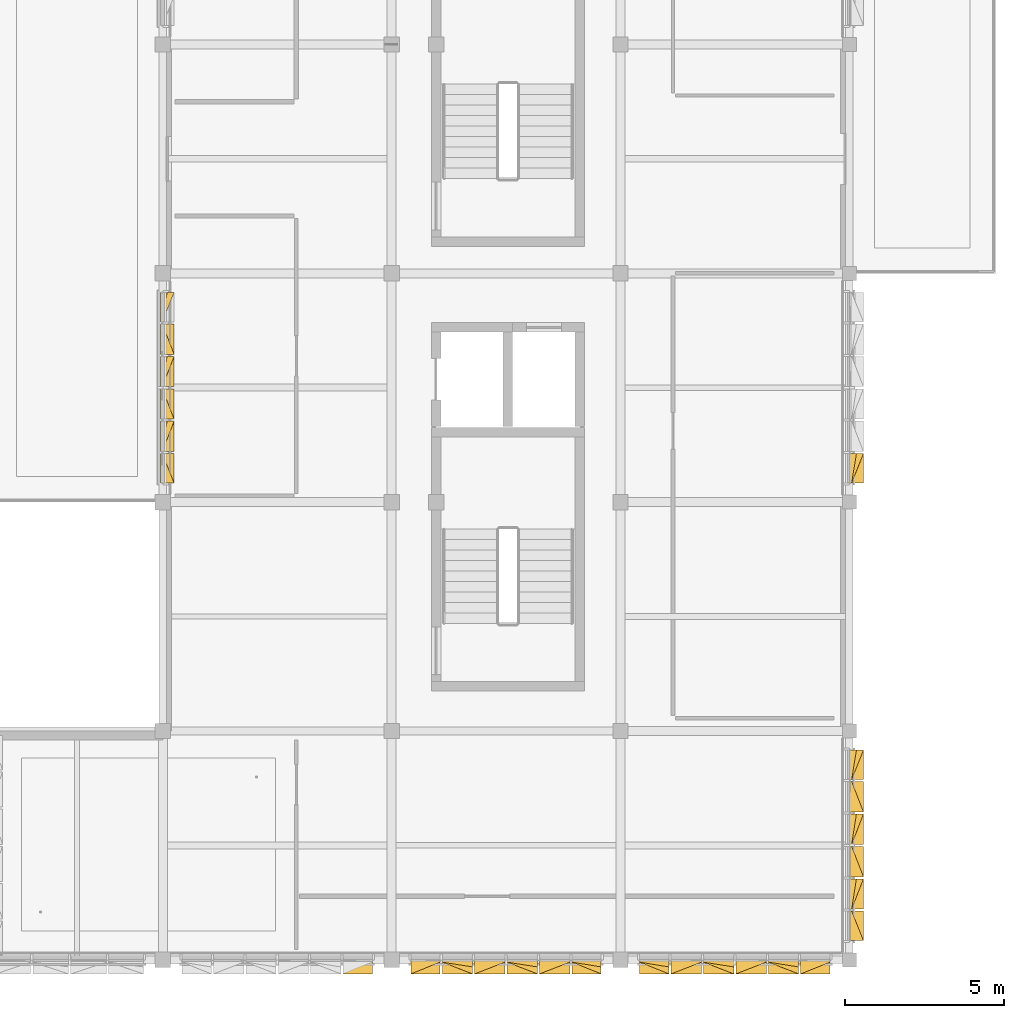
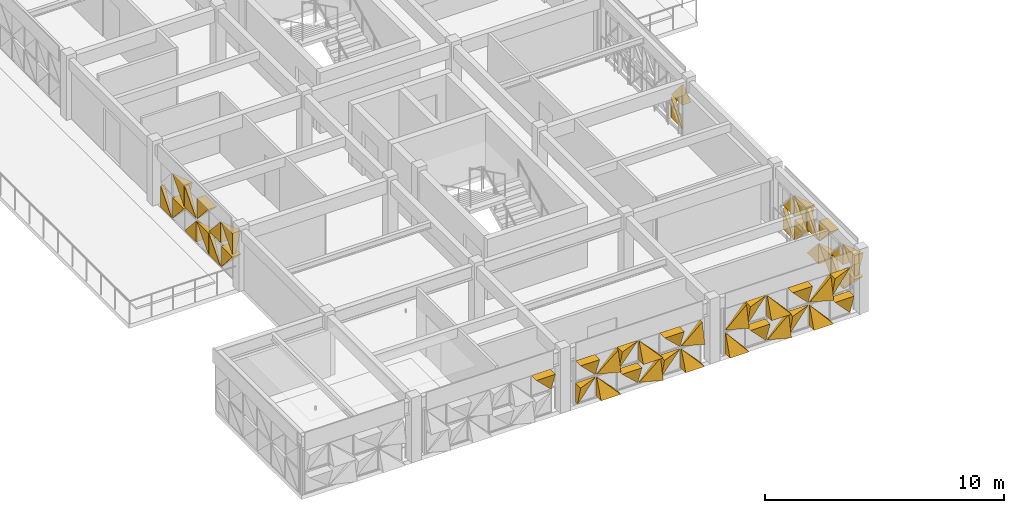
# One storey, part 31 of 35: 50 coverings.
"""IFC4 building model written with IfcOpenShell, lengths in metres."""

from ifc_helpers import new_model, si_unit, direction, frame, origin, place, context, subcontext, project, spatial, polygons, material, layer, layer_set, type_object, element, save


model = new_model("IFC4")

# Units and contexts
model_context = context("Model", 3, precision=1e-05, world=origin(), true_north=direction((0.0, 1.0)))
body_context = subcontext(model_context, "Body", "Model", "MODEL_VIEW")
ifc_project = project(units=[si_unit("LENGTHUNIT", "METRE"), si_unit("AREAUNIT", "SQUARE_METRE"), si_unit("VOLUMEUNIT", "CUBIC_METRE"), si_unit("PLANEANGLEUNIT", "RADIAN"), si_unit("MASSUNIT", "GRAM", prefix="KILO")], contexts=[model_context])

# Site, building, storey
site_placement = place(None, origin())
site = spatial("IfcSite", under=ifc_project, at=site_placement, CompositionType="ELEMENT")
building_placement = place(site_placement, origin())
building = spatial("IfcBuilding", under=site, at=building_placement, Name="Alvorim Cloister Faculty of Sciences", CompositionType="ELEMENT")
storey_placement = place(building_placement, frame((0.0, 0.0, 22.949951171875)))
storey = spatial("IfcBuildingStorey", under=building, at=storey_placement, Name="L06", CompositionType="ELEMENT", Elevation=22.949951171875)

# Coverings
ifc_material = material(Name="Perforated Bronze Alloy Sheet", Category="metal")
ifc_layer = layer(ifc_material, 0.0380859375)
ifc_layer_set = layer_set([ifc_layer], Name="Perforated Bronze Alloy Sheet")
covering_type = type_object("IfcCoveringType", Name="COV-TRI-BRZ", PredefinedType="CLADDING", material=ifc_layer_set)
covering_1_placement = place(storey_placement, frame((7.155029296875, 22.205078125, 0.14013671875), z_axis=(0.0, 0.0, 1.0), x_axis=(0.0, 1.0, 0.0)))
element("IfcCovering", 1, at=covering_1_placement, inside=storey, type_object=covering_type, Name="Diagonal Solid Metal Triangle TRI-TR", PredefinedType="CLADDING", context=body_context, shape_type="Tessellation", body=[
    polygons([(0.922607421875, 0.0260009765625, 0.002), (0.922607421875, 0.0260009765625, 1.06494140625), (0.002, 0.0260009765625, 1.06494140625), (0.922607421875, -0.03, 0.002), (0.922607421875, -0.4, 1.06494140625), (0.002, -0.4, 1.06494140625)], [[[1, 3, 2]], [[4, 5, 6]], [[1, 2, 5, 4]], [[2, 3, 6, 5]], [[3, 1, 4, 6]]], closed=True),
])
covering_2_placement = place(storey_placement, frame((7.155029296875, 22.205078125, 1.344970703125), z_axis=(0.0, 0.0, 1.0), x_axis=(0.0, 1.0, 0.0)))
element("IfcCovering", 2, at=covering_2_placement, inside=storey, type_object=covering_type, Name="Diagonal Solid Metal Triangle TRI-TL", PredefinedType="CLADDING", context=body_context, shape_type="Tessellation", body=[
    polygons([(0.920607421875, 0.0260009765625, 1.065185546875), (0.0, 0.0260009765625, 1.065185546875), (0.0, 0.0260009765625, 0.002), (0.920607421875, -0.03, 1.065185546875), (0.0, -0.4, 1.065185546875), (0.0, -0.13999999999999999, 0.002)], [[[1, 3, 2]], [[4, 5, 6]], [[1, 2, 5, 4]], [[2, 3, 6, 5]], [[3, 1, 4, 6]]], closed=True),
])
covering_3_placement = place(storey_placement, frame((7.155029296875, 23.1923828125, 0.14013671875), z_axis=(0.0, 0.0, 1.0), x_axis=(0.0, 1.0, 0.0)))
element("IfcCovering", 3, at=covering_3_placement, inside=storey, type_object=covering_type, Name="Diagonal Solid Metal Triangle TRI-BR", PredefinedType="CLADDING", context=body_context, shape_type="Tessellation", body=[
    polygons([(0.002, 0.0260009765625, 0.0), (0.955078125, 0.0260009765625, 0.0), (0.955078125, 0.0260009765625, 1.06294140625), (0.002, -0.03, 0.0), (0.955078125, -0.4, 0.0), (0.955078125, -0.18000000000000002, 1.06294140625)], [[[1, 3, 2]], [[4, 5, 6]], [[1, 2, 5, 4]], [[2, 3, 6, 5]], [[3, 1, 4, 6]]], closed=True),
])
covering_4_placement = place(storey_placement, frame((7.155029296875, 23.1923828125, 1.344970703125), z_axis=(0.0, 0.0, 1.0), x_axis=(0.0, 1.0, 0.0)))
element("IfcCovering", 4, at=covering_4_placement, inside=storey, type_object=covering_type, Name="Diagonal Solid Metal Triangle TRI-BL", PredefinedType="CLADDING", context=body_context, shape_type="Tessellation", body=[
    polygons([(0.0, 0.0260009765625, 0.0), (0.953078125, 0.0260009765625, 0.0), (0.0, 0.0260009765625, 1.063185546875), (0.0, -0.4, 0.0), (0.953078125, -0.4, 0.0), (0.0, -0.03, 1.063185546875)], [[[1, 3, 2]], [[4, 5, 6]], [[1, 2, 5, 4]], [[2, 3, 6, 5]], [[3, 1, 4, 6]]], closed=True),
])
covering_5_placement = place(storey_placement, frame((7.155029296875, 24.21240234375, 0.14013671875), z_axis=(0.0, 0.0, 1.0), x_axis=(0.0, 1.0, 0.0)))
element("IfcCovering", 5, at=covering_5_placement, inside=storey, type_object=covering_type, Name="Diagonal Solid Metal Triangle TRI-TL", PredefinedType="CLADDING", context=body_context, shape_type="Tessellation", body=[
    polygons([(0.953078125, 0.0260009765625, 1.06494140625), (0.0, 0.0260009765625, 1.06494140625), (0.0, 0.0260009765625, 0.002), (0.953078125, -0.03, 1.06494140625), (0.0, -0.4, 1.06494140625), (0.0, -0.13999999999999999, 0.002)], [[[1, 3, 2]], [[4, 5, 6]], [[1, 2, 5, 4]], [[2, 3, 6, 5]], [[3, 1, 4, 6]]], closed=True),
])
covering_6_placement = place(storey_placement, frame((7.155029296875, 24.21240234375, 1.344970703125), z_axis=(0.0, 0.0, 1.0), x_axis=(0.0, 1.0, 0.0)))
element("IfcCovering", 6, at=covering_6_placement, inside=storey, type_object=covering_type, Name="Diagonal Solid Metal Triangle TRI-TR", PredefinedType="CLADDING", context=body_context, shape_type="Tessellation", body=[
    polygons([(0.955078125, 0.0260009765625, 0.002), (0.955078125, 0.0260009765625, 1.065185546875), (0.002, 0.0260009765625, 1.065185546875), (0.955078125, -0.03, 0.002), (0.955078125, -0.4, 1.065185546875), (0.002, -0.4, 1.065185546875)], [[[1, 3, 2]], [[4, 5, 6]], [[1, 2, 5, 4]], [[2, 3, 6, 5]], [[3, 1, 4, 6]]], closed=True),
])
covering_7_placement = place(storey_placement, frame((7.155029296875, 25.232421875, 0.14013671875), z_axis=(0.0, 0.0, 1.0), x_axis=(0.0, 1.0, 0.0)))
element("IfcCovering", 7, at=covering_7_placement, inside=storey, type_object=covering_type, Name="Diagonal Solid Metal Triangle TRI-BL", PredefinedType="CLADDING", context=body_context, shape_type="Tessellation", body=[
    polygons([(0.0, 0.0260009765625, 0.0), (0.953078125, 0.0260009765625, 0.0), (0.0, 0.0260009765625, 1.06294140625), (0.0, -0.4, 0.0), (0.953078125, -0.4, 0.0), (0.0, -0.03, 1.06294140625)], [[[1, 3, 2]], [[4, 5, 6]], [[1, 2, 5, 4]], [[2, 3, 6, 5]], [[3, 1, 4, 6]]], closed=True),
])
covering_8_placement = place(storey_placement, frame((7.155029296875, 25.232421875, 1.344970703125), z_axis=(0.0, 0.0, 1.0), x_axis=(0.0, 1.0, 0.0)))
element("IfcCovering", 8, at=covering_8_placement, inside=storey, type_object=covering_type, Name="Diagonal Solid Metal Triangle TRI-BR", PredefinedType="CLADDING", context=body_context, shape_type="Tessellation", body=[
    polygons([(0.002, 0.0260009765625, 0.0), (0.955078125, 0.0260009765625, 0.0), (0.955078125, 0.0260009765625, 1.063185546875), (0.002, -0.03, 0.0), (0.955078125, -0.4, 0.0), (0.955078125, -0.18000000000000002, 1.063185546875)], [[[1, 3, 2]], [[4, 5, 6]], [[1, 2, 5, 4]], [[2, 3, 6, 5]], [[3, 1, 4, 6]]], closed=True),
])
covering_9_placement = place(storey_placement, frame((7.155029296875, 26.25244140625, 0.14013671875), z_axis=(0.0, 0.0, 1.0), x_axis=(0.0, 1.0, 0.0)))
element("IfcCovering", 9, at=covering_9_placement, inside=storey, type_object=covering_type, Name="Diagonal Solid Metal Triangle TRI-TR", PredefinedType="CLADDING", context=body_context, shape_type="Tessellation", body=[
    polygons([(0.955078125, 0.0260009765625, 0.002), (0.955078125, 0.0260009765625, 1.06494140625), (0.002, 0.0260009765625, 1.06494140625), (0.955078125, -0.03, 0.002), (0.955078125, -0.4, 1.06494140625), (0.002, -0.4, 1.06494140625)], [[[1, 3, 2]], [[4, 5, 6]], [[1, 2, 5, 4]], [[2, 3, 6, 5]], [[3, 1, 4, 6]]], closed=True),
])
covering_10_placement = place(storey_placement, frame((7.155029296875, 26.25244140625, 1.344970703125), z_axis=(0.0, 0.0, 1.0), x_axis=(0.0, 1.0, 0.0)))
element("IfcCovering", 10, at=covering_10_placement, inside=storey, type_object=covering_type, Name="Diagonal Solid Metal Triangle TRI-TL", PredefinedType="CLADDING", context=body_context, shape_type="Tessellation", body=[
    polygons([(0.953078125, 0.0260009765625, 1.065185546875), (0.0, 0.0260009765625, 1.065185546875), (0.0, 0.0260009765625, 0.002), (0.953078125, -0.03, 1.065185546875), (0.0, -0.4, 1.065185546875), (0.0, -0.13999999999999999, 0.002)], [[[1, 3, 2]], [[4, 5, 6]], [[1, 2, 5, 4]], [[2, 3, 6, 5]], [[3, 1, 4, 6]]], closed=True),
])
for number, where, z_axis, x_axis, name in (
    (11, (7.155029296875, 27.2724609375, 0.14013671875), (0.0, 0.0, 1.0), (0.0, 1.0, 0.0), "Diagonal Solid Metal Triangle TRI-BR"),
    (12, (28.844970703125, 22.205078125, 0.14013671875), (0.0, 0.0, 1.0), (0.0, 1.0, 0.0), "Diagonal Solid Metal Triangle TRI-BR"),
):
    element("IfcCovering", number, at=place(storey_placement, frame(where, z_axis=z_axis, x_axis=x_axis)), inside=storey, type_object=covering_type, Name=name, PredefinedType="CLADDING", context=body_context, shape_type="Tessellation", body=[
        polygons([(0.002, 0.0260009765625, 0.0), (0.922607421875, 0.0260009765625, 0.0), (0.922607421875, 0.0260009765625, 1.06294140625), (0.002, -0.03, 0.0), (0.922607421875, -0.4, 0.0), (0.922607421875, -0.18000000000000002, 1.06294140625)], [[[1, 3, 2]], [[4, 5, 6]], [[1, 2, 5, 4]], [[2, 3, 6, 5]], [[3, 1, 4, 6]]], closed=True),
    ])
covering_11_placement = place(storey_placement, frame((28.844970703125, 22.205078125, 1.344970703125), z_axis=(0.0, 0.0, 1.0), x_axis=(0.0, 1.0, 0.0)))
element("IfcCovering", 13, at=covering_11_placement, inside=storey, type_object=covering_type, Name="Diagonal Solid Metal Triangle TRI-BL", PredefinedType="CLADDING", context=body_context, shape_type="Tessellation", body=[
    polygons([(0.0, 0.0260009765625, 0.0), (0.920607421875, 0.0260009765625, 0.0), (0.0, 0.0260009765625, 1.063185546875), (0.0, -0.4, 0.0), (0.920607421875, -0.4, 0.0), (0.0, -0.03, 1.063185546875)], [[[1, 3, 2]], [[4, 5, 6]], [[1, 2, 5, 4]], [[2, 3, 6, 5]], [[3, 1, 4, 6]]], closed=True),
])
covering_12_placement = place(storey_placement, frame((28.844970703125, 7.804931640625, 0.14013671875), z_axis=(0.0, 0.0, 1.0), x_axis=(0.0, 1.0, 0.0)))
element("IfcCovering", 14, at=covering_12_placement, inside=storey, type_object=covering_type, Name="Diagonal Solid Metal Triangle TRI-TR", PredefinedType="CLADDING", context=body_context, shape_type="Tessellation", body=[
    polygons([(0.922607421875, 0.0260009765625, 0.002), (0.922607421875, 0.0260009765625, 1.06494140625), (0.002, 0.0260009765625, 1.06494140625), (0.922607421875, -0.03, 0.002), (0.922607421875, -0.4, 1.06494140625), (0.002, -0.4, 1.06494140625)], [[[1, 3, 2]], [[4, 5, 6]], [[1, 2, 5, 4]], [[2, 3, 6, 5]], [[3, 1, 4, 6]]], closed=True),
])
covering_13_placement = place(storey_placement, frame((28.844970703125, 7.804931640625, 1.344970703125), z_axis=(0.0, 0.0, 1.0), x_axis=(0.0, 1.0, 0.0)))
element("IfcCovering", 15, at=covering_13_placement, inside=storey, type_object=covering_type, Name="Diagonal Solid Metal Triangle TRI-TL", PredefinedType="CLADDING", context=body_context, shape_type="Tessellation", body=[
    polygons([(0.920607421875, 0.0260009765625, 1.065185546875), (0.0, 0.0260009765625, 1.065185546875), (0.0, 0.0260009765625, 0.002), (0.920607421875, -0.03, 1.065185546875), (0.0, -0.4, 1.065185546875), (0.0, -0.13999999999999999, 0.002)], [[[1, 3, 2]], [[4, 5, 6]], [[1, 2, 5, 4]], [[2, 3, 6, 5]], [[3, 1, 4, 6]]], closed=True),
])
covering_14_placement = place(storey_placement, frame((28.844970703125, 8.79248046875, 0.14013671875), z_axis=(0.0, 0.0, 1.0), x_axis=(0.0, 1.0, 0.0)))
element("IfcCovering", 16, at=covering_14_placement, inside=storey, type_object=covering_type, Name="Diagonal Solid Metal Triangle TRI-BR", PredefinedType="CLADDING", context=body_context, shape_type="Tessellation", body=[
    polygons([(0.002, 0.0260009765625, 0.0), (0.955078125, 0.0260009765625, 0.0), (0.955078125, 0.0260009765625, 1.06294140625), (0.002, -0.03, 0.0), (0.955078125, -0.4, 0.0), (0.955078125, -0.18000000000000002, 1.06294140625)], [[[1, 3, 2]], [[4, 5, 6]], [[1, 2, 5, 4]], [[2, 3, 6, 5]], [[3, 1, 4, 6]]], closed=True),
])
covering_15_placement = place(storey_placement, frame((28.844970703125, 8.79248046875, 1.344970703125), z_axis=(0.0, 0.0, 1.0), x_axis=(0.0, 1.0, 0.0)))
element("IfcCovering", 17, at=covering_15_placement, inside=storey, type_object=covering_type, Name="Diagonal Solid Metal Triangle TRI-BL", PredefinedType="CLADDING", context=body_context, shape_type="Tessellation", body=[
    polygons([(0.0, 0.0260009765625, 0.0), (0.953078125, 0.0260009765625, 0.0), (0.0, 0.0260009765625, 1.063185546875), (0.0, -0.4, 0.0), (0.953078125, -0.4, 0.0), (0.0, -0.03, 1.063185546875)], [[[1, 3, 2]], [[4, 5, 6]], [[1, 2, 5, 4]], [[2, 3, 6, 5]], [[3, 1, 4, 6]]], closed=True),
])
covering_16_placement = place(storey_placement, frame((28.844970703125, 9.8125, 0.14013671875), z_axis=(0.0, 0.0, 1.0), x_axis=(0.0, 1.0, 0.0)))
element("IfcCovering", 18, at=covering_16_placement, inside=storey, type_object=covering_type, Name="Diagonal Solid Metal Triangle TRI-TL", PredefinedType="CLADDING", context=body_context, shape_type="Tessellation", body=[
    polygons([(0.953078125, 0.0260009765625, 1.06494140625), (0.0, 0.0260009765625, 1.06494140625), (0.0, 0.0260009765625, 0.002), (0.953078125, -0.03, 1.06494140625), (0.0, -0.4, 1.06494140625), (0.0, -0.13999999999999999, 0.002)], [[[1, 3, 2]], [[4, 5, 6]], [[1, 2, 5, 4]], [[2, 3, 6, 5]], [[3, 1, 4, 6]]], closed=True),
])
covering_17_placement = place(storey_placement, frame((28.844970703125, 9.8125, 1.344970703125), z_axis=(0.0, 0.0, 1.0), x_axis=(0.0, 1.0, 0.0)))
element("IfcCovering", 19, at=covering_17_placement, inside=storey, type_object=covering_type, Name="Diagonal Solid Metal Triangle TRI-TR", PredefinedType="CLADDING", context=body_context, shape_type="Tessellation", body=[
    polygons([(0.955078125, 0.0260009765625, 0.002), (0.955078125, 0.0260009765625, 1.065185546875), (0.002, 0.0260009765625, 1.065185546875), (0.955078125, -0.03, 0.002), (0.955078125, -0.4, 1.065185546875), (0.002, -0.4, 1.065185546875)], [[[1, 3, 2]], [[4, 5, 6]], [[1, 2, 5, 4]], [[2, 3, 6, 5]], [[3, 1, 4, 6]]], closed=True),
])
covering_18_placement = place(storey_placement, frame((28.844970703125, 10.83251953125, 0.14013671875), z_axis=(0.0, 0.0, 1.0), x_axis=(0.0, 1.0, 0.0)))
element("IfcCovering", 20, at=covering_18_placement, inside=storey, type_object=covering_type, Name="Diagonal Solid Metal Triangle TRI-BL", PredefinedType="CLADDING", context=body_context, shape_type="Tessellation", body=[
    polygons([(0.0, 0.0260009765625, 0.0), (0.953078125, 0.0260009765625, 0.0), (0.0, 0.0260009765625, 1.06294140625), (0.0, -0.4, 0.0), (0.953078125, -0.4, 0.0), (0.0, -0.03, 1.06294140625)], [[[1, 3, 2]], [[4, 5, 6]], [[1, 2, 5, 4]], [[2, 3, 6, 5]], [[3, 1, 4, 6]]], closed=True),
])
covering_19_placement = place(storey_placement, frame((28.844970703125, 10.83251953125, 1.344970703125), z_axis=(0.0, 0.0, 1.0), x_axis=(0.0, 1.0, 0.0)))
element("IfcCovering", 21, at=covering_19_placement, inside=storey, type_object=covering_type, Name="Diagonal Solid Metal Triangle TRI-BR", PredefinedType="CLADDING", context=body_context, shape_type="Tessellation", body=[
    polygons([(0.002, 0.0260009765625, 0.0), (0.955078125, 0.0260009765625, 0.0), (0.955078125, 0.0260009765625, 1.063185546875), (0.002, -0.03, 0.0), (0.955078125, -0.4, 0.0), (0.955078125, -0.18000000000000002, 1.063185546875)], [[[1, 3, 2]], [[4, 5, 6]], [[1, 2, 5, 4]], [[2, 3, 6, 5]], [[3, 1, 4, 6]]], closed=True),
])
covering_20_placement = place(storey_placement, frame((28.844970703125, 11.8525390625, 0.14013671875), z_axis=(0.0, 0.0, 1.0), x_axis=(0.0, 1.0, 0.0)))
element("IfcCovering", 22, at=covering_20_placement, inside=storey, type_object=covering_type, Name="Diagonal Solid Metal Triangle TRI-TR", PredefinedType="CLADDING", context=body_context, shape_type="Tessellation", body=[
    polygons([(0.955078125, 0.0260009765625, 0.002), (0.955078125, 0.0260009765625, 1.06494140625), (0.002, 0.0260009765625, 1.06494140625), (0.955078125, -0.03, 0.002), (0.955078125, -0.4, 1.06494140625), (0.002, -0.4, 1.06494140625)], [[[1, 3, 2]], [[4, 5, 6]], [[1, 2, 5, 4]], [[2, 3, 6, 5]], [[3, 1, 4, 6]]], closed=True),
])
covering_21_placement = place(storey_placement, frame((28.844970703125, 11.8525390625, 1.344970703125), z_axis=(0.0, 0.0, 1.0), x_axis=(0.0, 1.0, 0.0)))
element("IfcCovering", 23, at=covering_21_placement, inside=storey, type_object=covering_type, Name="Diagonal Solid Metal Triangle TRI-TL", PredefinedType="CLADDING", context=body_context, shape_type="Tessellation", body=[
    polygons([(0.953078125, 0.0260009765625, 1.065185546875), (0.0, 0.0260009765625, 1.065185546875), (0.0, 0.0260009765625, 0.002), (0.953078125, -0.03, 1.065185546875), (0.0, -0.4, 1.065185546875), (0.0, -0.13999999999999999, 0.002)], [[[1, 3, 2]], [[4, 5, 6]], [[1, 2, 5, 4]], [[2, 3, 6, 5]], [[3, 1, 4, 6]]], closed=True),
])
covering_22_placement = place(storey_placement, frame((28.844970703125, 12.87255859375, 0.14013671875), z_axis=(0.0, 0.0, 1.0), x_axis=(0.0, 1.0, 0.0)))
element("IfcCovering", 24, at=covering_22_placement, inside=storey, type_object=covering_type, Name="Diagonal Solid Metal Triangle TRI-BR", PredefinedType="CLADDING", context=body_context, shape_type="Tessellation", body=[
    polygons([(0.002, 0.0260009765625, 0.0), (0.922607421875, 0.0260009765625, 0.0), (0.922607421875, 0.0260009765625, 1.06294140625), (0.002, -0.03, 0.0), (0.922607421875, -0.4, 0.0), (0.922607421875, -0.18000000000000002, 1.06294140625)], [[[1, 3, 2]], [[4, 5, 6]], [[1, 2, 5, 4]], [[2, 3, 6, 5]], [[3, 1, 4, 6]]], closed=True),
])
covering_23_placement = place(storey_placement, frame((28.844970703125, 12.87255859375, 1.344970703125), z_axis=(0.0, 0.0, 1.0), x_axis=(0.0, 1.0, 0.0)))
element("IfcCovering", 25, at=covering_23_placement, inside=storey, type_object=covering_type, Name="Diagonal Solid Metal Triangle TRI-BL", PredefinedType="CLADDING", context=body_context, shape_type="Tessellation", body=[
    polygons([(0.0, 0.0260009765625, 0.0), (0.920607421875, 0.0260009765625, 0.0), (0.0, 0.0260009765625, 1.063185546875), (0.0, -0.4, 0.0), (0.920607421875, -0.4, 0.0), (0.0, -0.03, 1.063185546875)], [[[1, 3, 2]], [[4, 5, 6]], [[1, 2, 5, 4]], [[2, 3, 6, 5]], [[3, 1, 4, 6]]], closed=True),
])
covering_24_placement = place(storey_placement, frame((22.205078125, 7.155029296875, 0.14013671875), z_axis=(0.0, 0.0, 1.0), x_axis=(1.0, 0.0, 0.0)))
element("IfcCovering", 26, at=covering_24_placement, inside=storey, type_object=covering_type, Name="Diagonal Solid Metal Triangle TRI-BL", PredefinedType="CLADDING", context=body_context, shape_type="Tessellation", body=[
    polygons([(0.0, 0.0260009765625, 0.0), (0.920607421875, 0.0260009765625, 0.0), (0.0, 0.0260009765625, 1.06294140625), (0.0, -0.4, 0.0), (0.920607421875, -0.4, 0.0), (0.0, -0.03, 1.06294140625)], [[[1, 3, 2]], [[4, 5, 6]], [[1, 2, 5, 4]], [[2, 3, 6, 5]], [[3, 1, 4, 6]]], closed=True),
])
covering_25_placement = place(storey_placement, frame((22.205078125, 7.155029296875, 1.344970703125), z_axis=(0.0, 0.0, 1.0), x_axis=(1.0, 0.0, 0.0)))
element("IfcCovering", 27, at=covering_25_placement, inside=storey, type_object=covering_type, Name="Diagonal Solid Metal Triangle TRI-BR", PredefinedType="CLADDING", context=body_context, shape_type="Tessellation", body=[
    polygons([(0.002, 0.0260009765625, 0.0), (0.922607421875, 0.0260009765625, 0.0), (0.922607421875, 0.0260009765625, 1.063185546875), (0.002, -0.03, 0.0), (0.922607421875, -0.4, 0.0), (0.922607421875, -0.18000000000000002, 1.063185546875)], [[[1, 3, 2]], [[4, 5, 6]], [[1, 2, 5, 4]], [[2, 3, 6, 5]], [[3, 1, 4, 6]]], closed=True),
])
covering_26_placement = place(storey_placement, frame((23.1923828125, 7.155029296875, 0.14013671875), z_axis=(0.0, 0.0, 1.0), x_axis=(1.0, 0.0, 0.0)))
element("IfcCovering", 28, at=covering_26_placement, inside=storey, type_object=covering_type, Name="Diagonal Solid Metal Triangle TRI-TR", PredefinedType="CLADDING", context=body_context, shape_type="Tessellation", body=[
    polygons([(0.955078125, 0.0260009765625, 0.002), (0.955078125, 0.0260009765625, 1.06494140625), (0.002, 0.0260009765625, 1.06494140625), (0.955078125, -0.03, 0.002), (0.955078125, -0.4, 1.06494140625), (0.002, -0.4, 1.06494140625)], [[[1, 3, 2]], [[4, 5, 6]], [[1, 2, 5, 4]], [[2, 3, 6, 5]], [[3, 1, 4, 6]]], closed=True),
])
covering_27_placement = place(storey_placement, frame((23.1923828125, 7.155029296875, 1.344970703125), z_axis=(0.0, 0.0, 1.0), x_axis=(1.0, 0.0, 0.0)))
element("IfcCovering", 29, at=covering_27_placement, inside=storey, type_object=covering_type, Name="Diagonal Solid Metal Triangle TRI-TL", PredefinedType="CLADDING", context=body_context, shape_type="Tessellation", body=[
    polygons([(0.953078125, 0.0260009765625, 1.065185546875), (0.0, 0.0260009765625, 1.065185546875), (0.0, 0.0260009765625, 0.002), (0.953078125, -0.03, 1.065185546875), (0.0, -0.4, 1.065185546875), (0.0, -0.13999999999999999, 0.002)], [[[1, 3, 2]], [[4, 5, 6]], [[1, 2, 5, 4]], [[2, 3, 6, 5]], [[3, 1, 4, 6]]], closed=True),
])
covering_28_placement = place(storey_placement, frame((24.21240234375, 7.155029296875, 0.14013671875), z_axis=(0.0, 0.0, 1.0), x_axis=(1.0, 0.0, 0.0)))
element("IfcCovering", 30, at=covering_28_placement, inside=storey, type_object=covering_type, Name="Diagonal Solid Metal Triangle TRI-BR", PredefinedType="CLADDING", context=body_context, shape_type="Tessellation", body=[
    polygons([(0.002, 0.0260009765625, 0.0), (0.955078125, 0.0260009765625, 0.0), (0.955078125, 0.0260009765625, 1.06294140625), (0.002, -0.03, 0.0), (0.955078125, -0.4, 0.0), (0.955078125, -0.18000000000000002, 1.06294140625)], [[[1, 3, 2]], [[4, 5, 6]], [[1, 2, 5, 4]], [[2, 3, 6, 5]], [[3, 1, 4, 6]]], closed=True),
])
covering_29_placement = place(storey_placement, frame((24.21240234375, 7.155029296875, 1.344970703125), z_axis=(0.0, 0.0, 1.0), x_axis=(1.0, 0.0, 0.0)))
element("IfcCovering", 31, at=covering_29_placement, inside=storey, type_object=covering_type, Name="Diagonal Solid Metal Triangle TRI-BL", PredefinedType="CLADDING", context=body_context, shape_type="Tessellation", body=[
    polygons([(0.0, 0.0260009765625, 0.0), (0.953078125, 0.0260009765625, 0.0), (0.0, 0.0260009765625, 1.063185546875), (0.0, -0.4, 0.0), (0.953078125, -0.4, 0.0), (0.0, -0.03, 1.063185546875)], [[[1, 3, 2]], [[4, 5, 6]], [[1, 2, 5, 4]], [[2, 3, 6, 5]], [[3, 1, 4, 6]]], closed=True),
])
covering_30_placement = place(storey_placement, frame((25.232421875, 7.155029296875, 0.14013671875), z_axis=(0.0, 0.0, 1.0), x_axis=(1.0, 0.0, 0.0)))
element("IfcCovering", 32, at=covering_30_placement, inside=storey, type_object=covering_type, Name="Diagonal Solid Metal Triangle TRI-TL", PredefinedType="CLADDING", context=body_context, shape_type="Tessellation", body=[
    polygons([(0.953078125, 0.0260009765625, 1.06494140625), (0.0, 0.0260009765625, 1.06494140625), (0.0, 0.0260009765625, 0.002), (0.953078125, -0.03, 1.06494140625), (0.0, -0.4, 1.06494140625), (0.0, -0.13999999999999999, 0.002)], [[[1, 3, 2]], [[4, 5, 6]], [[1, 2, 5, 4]], [[2, 3, 6, 5]], [[3, 1, 4, 6]]], closed=True),
])
covering_31_placement = place(storey_placement, frame((25.232421875, 7.155029296875, 1.344970703125), z_axis=(0.0, 0.0, 1.0), x_axis=(1.0, 0.0, 0.0)))
element("IfcCovering", 33, at=covering_31_placement, inside=storey, type_object=covering_type, Name="Diagonal Solid Metal Triangle TRI-TR", PredefinedType="CLADDING", context=body_context, shape_type="Tessellation", body=[
    polygons([(0.955078125, 0.0260009765625, 0.002), (0.955078125, 0.0260009765625, 1.065185546875), (0.002, 0.0260009765625, 1.065185546875), (0.955078125, -0.03, 0.002), (0.955078125, -0.4, 1.065185546875), (0.002, -0.4, 1.065185546875)], [[[1, 3, 2]], [[4, 5, 6]], [[1, 2, 5, 4]], [[2, 3, 6, 5]], [[3, 1, 4, 6]]], closed=True),
])
covering_32_placement = place(storey_placement, frame((26.25244140625, 7.155029296875, 0.14013671875), z_axis=(0.0, 0.0, 1.0), x_axis=(1.0, 0.0, 0.0)))
element("IfcCovering", 34, at=covering_32_placement, inside=storey, type_object=covering_type, Name="Diagonal Solid Metal Triangle TRI-BL", PredefinedType="CLADDING", context=body_context, shape_type="Tessellation", body=[
    polygons([(0.0, 0.0260009765625, 0.0), (0.953078125, 0.0260009765625, 0.0), (0.0, 0.0260009765625, 1.06294140625), (0.0, -0.4, 0.0), (0.953078125, -0.4, 0.0), (0.0, -0.03, 1.06294140625)], [[[1, 3, 2]], [[4, 5, 6]], [[1, 2, 5, 4]], [[2, 3, 6, 5]], [[3, 1, 4, 6]]], closed=True),
])
covering_33_placement = place(storey_placement, frame((26.25244140625, 7.155029296875, 1.344970703125), z_axis=(0.0, 0.0, 1.0), x_axis=(1.0, 0.0, 0.0)))
element("IfcCovering", 35, at=covering_33_placement, inside=storey, type_object=covering_type, Name="Diagonal Solid Metal Triangle TRI-BR", PredefinedType="CLADDING", context=body_context, shape_type="Tessellation", body=[
    polygons([(0.002, 0.0260009765625, 0.0), (0.955078125, 0.0260009765625, 0.0), (0.955078125, 0.0260009765625, 1.063185546875), (0.002, -0.03, 0.0), (0.955078125, -0.4, 0.0), (0.955078125, -0.18000000000000002, 1.063185546875)], [[[1, 3, 2]], [[4, 5, 6]], [[1, 2, 5, 4]], [[2, 3, 6, 5]], [[3, 1, 4, 6]]], closed=True),
])
covering_34_placement = place(storey_placement, frame((27.2724609375, 7.155029296875, 0.14013671875), z_axis=(0.0, 0.0, 1.0), x_axis=(1.0, 0.0, 0.0)))
element("IfcCovering", 36, at=covering_34_placement, inside=storey, type_object=covering_type, Name="Diagonal Solid Metal Triangle TRI-TR", PredefinedType="CLADDING", context=body_context, shape_type="Tessellation", body=[
    polygons([(0.922607421875, 0.0260009765625, 0.002), (0.922607421875, 0.0260009765625, 1.06494140625), (0.002, 0.0260009765625, 1.06494140625), (0.922607421875, -0.03, 0.002), (0.922607421875, -0.4, 1.06494140625), (0.002, -0.4, 1.06494140625)], [[[1, 3, 2]], [[4, 5, 6]], [[1, 2, 5, 4]], [[2, 3, 6, 5]], [[3, 1, 4, 6]]], closed=True),
])
covering_35_placement = place(storey_placement, frame((27.2724609375, 7.155029296875, 1.344970703125), z_axis=(0.0, 0.0, 1.0), x_axis=(1.0, 0.0, 0.0)))
element("IfcCovering", 37, at=covering_35_placement, inside=storey, type_object=covering_type, Name="Diagonal Solid Metal Triangle TRI-TL", PredefinedType="CLADDING", context=body_context, shape_type="Tessellation", body=[
    polygons([(0.920607421875, 0.0260009765625, 1.065185546875), (0.0, 0.0260009765625, 1.065185546875), (0.0, 0.0260009765625, 0.002), (0.920607421875, -0.03, 1.065185546875), (0.0, -0.4, 1.065185546875), (0.0, -0.13999999999999999, 0.002)], [[[1, 3, 2]], [[4, 5, 6]], [[1, 2, 5, 4]], [[2, 3, 6, 5]], [[3, 1, 4, 6]]], closed=True),
])
covering_36_placement = place(storey_placement, frame((15.0048828125, 7.155029296875, 0.14013671875), z_axis=(0.0, 0.0, 1.0), x_axis=(1.0, 0.0, 0.0)))
element("IfcCovering", 38, at=covering_36_placement, inside=storey, type_object=covering_type, Name="Diagonal Solid Metal Triangle TRI-TL", PredefinedType="CLADDING", context=body_context, shape_type="Tessellation", body=[
    polygons([(0.920607421875, 0.0260009765625, 0.992919921875), (0.0, 0.0260009765625, 0.992919921875), (0.0, 0.0260009765625, 0.002), (0.920607421875, -0.03, 0.992919921875), (0.0, -0.4, 0.992919921875), (0.0, -0.13999999999999999, 0.002)], [[[1, 3, 2]], [[4, 5, 6]], [[1, 2, 5, 4]], [[2, 3, 6, 5]], [[3, 1, 4, 6]]], closed=True),
])
covering_37_placement = place(storey_placement, frame((15.0048828125, 7.155029296875, 1.27294921875), z_axis=(0.0, 0.0, 1.0), x_axis=(1.0, 0.0, 0.0)))
element("IfcCovering", 39, at=covering_37_placement, inside=storey, type_object=covering_type, Name="Diagonal Solid Metal Triangle TRI-TR", PredefinedType="CLADDING", context=body_context, shape_type="Tessellation", body=[
    polygons([(0.922607421875, 0.0260009765625, 0.002), (0.922607421875, 0.0260009765625, 0.9931640625), (0.002, 0.0260009765625, 0.9931640625), (0.922607421875, -0.03, 0.002), (0.922607421875, -0.4, 0.9931640625), (0.002, -0.4, 0.9931640625)], [[[1, 3, 2]], [[4, 5, 6]], [[1, 2, 5, 4]], [[2, 3, 6, 5]], [[3, 1, 4, 6]]], closed=True),
])
covering_38_placement = place(storey_placement, frame((15.992431640625, 7.155029296875, 0.14013671875), z_axis=(0.0, 0.0, 1.0), x_axis=(1.0, 0.0, 0.0)))
element("IfcCovering", 40, at=covering_38_placement, inside=storey, type_object=covering_type, Name="Diagonal Solid Metal Triangle TRI-BL", PredefinedType="CLADDING", context=body_context, shape_type="Tessellation", body=[
    polygons([(0.0, 0.0260009765625, 0.0), (0.953078125, 0.0260009765625, 0.0), (0.0, 0.0260009765625, 0.990919921875), (0.0, -0.4, 0.0), (0.953078125, -0.4, 0.0), (0.0, -0.03, 0.990919921875)], [[[1, 3, 2]], [[4, 5, 6]], [[1, 2, 5, 4]], [[2, 3, 6, 5]], [[3, 1, 4, 6]]], closed=True),
])
covering_39_placement = place(storey_placement, frame((15.992431640625, 7.155029296875, 1.27294921875), z_axis=(0.0, 0.0, 1.0), x_axis=(1.0, 0.0, 0.0)))
element("IfcCovering", 41, at=covering_39_placement, inside=storey, type_object=covering_type, Name="Diagonal Solid Metal Triangle TRI-BR", PredefinedType="CLADDING", context=body_context, shape_type="Tessellation", body=[
    polygons([(0.002, 0.0260009765625, 0.0), (0.955078125, 0.0260009765625, 0.0), (0.955078125, 0.0260009765625, 0.9911640625), (0.002, -0.03, 0.0), (0.955078125, -0.4, 0.0), (0.955078125, -0.18000000000000002, 0.9911640625)], [[[1, 3, 2]], [[4, 5, 6]], [[1, 2, 5, 4]], [[2, 3, 6, 5]], [[3, 1, 4, 6]]], closed=True),
])
covering_40_placement = place(storey_placement, frame((17.012451171875, 7.155029296875, 0.14013671875), z_axis=(0.0, 0.0, 1.0), x_axis=(1.0, 0.0, 0.0)))
element("IfcCovering", 42, at=covering_40_placement, inside=storey, type_object=covering_type, Name="Diagonal Solid Metal Triangle TRI-TR", PredefinedType="CLADDING", context=body_context, shape_type="Tessellation", body=[
    polygons([(0.955078125, 0.0260009765625, 0.002), (0.955078125, 0.0260009765625, 0.992919921875), (0.002, 0.0260009765625, 0.992919921875), (0.955078125, -0.03, 0.002), (0.955078125, -0.4, 0.992919921875), (0.002, -0.4, 0.992919921875)], [[[1, 3, 2]], [[4, 5, 6]], [[1, 2, 5, 4]], [[2, 3, 6, 5]], [[3, 1, 4, 6]]], closed=True),
])
covering_41_placement = place(storey_placement, frame((17.012451171875, 7.155029296875, 1.27294921875), z_axis=(0.0, 0.0, 1.0), x_axis=(1.0, 0.0, 0.0)))
element("IfcCovering", 43, at=covering_41_placement, inside=storey, type_object=covering_type, Name="Diagonal Solid Metal Triangle TRI-TL", PredefinedType="CLADDING", context=body_context, shape_type="Tessellation", body=[
    polygons([(0.953078125, 0.0260009765625, 0.9931640625), (0.0, 0.0260009765625, 0.9931640625), (0.0, 0.0260009765625, 0.002), (0.953078125, -0.03, 0.9931640625), (0.0, -0.4, 0.9931640625), (0.0, -0.13999999999999999, 0.002)], [[[1, 3, 2]], [[4, 5, 6]], [[1, 2, 5, 4]], [[2, 3, 6, 5]], [[3, 1, 4, 6]]], closed=True),
])
covering_42_placement = place(storey_placement, frame((18.032470703125, 7.155029296875, 0.14013671875), z_axis=(0.0, 0.0, 1.0), x_axis=(1.0, 0.0, 0.0)))
element("IfcCovering", 44, at=covering_42_placement, inside=storey, type_object=covering_type, Name="Diagonal Solid Metal Triangle TRI-BR", PredefinedType="CLADDING", context=body_context, shape_type="Tessellation", body=[
    polygons([(0.002, 0.0260009765625, 0.0), (0.955078125, 0.0260009765625, 0.0), (0.955078125, 0.0260009765625, 0.990919921875), (0.002, -0.03, 0.0), (0.955078125, -0.4, 0.0), (0.955078125, -0.18000000000000002, 0.990919921875)], [[[1, 3, 2]], [[4, 5, 6]], [[1, 2, 5, 4]], [[2, 3, 6, 5]], [[3, 1, 4, 6]]], closed=True),
])
covering_43_placement = place(storey_placement, frame((18.032470703125, 7.155029296875, 1.27294921875), z_axis=(0.0, 0.0, 1.0), x_axis=(1.0, 0.0, 0.0)))
element("IfcCovering", 45, at=covering_43_placement, inside=storey, type_object=covering_type, Name="Diagonal Solid Metal Triangle TRI-BL", PredefinedType="CLADDING", context=body_context, shape_type="Tessellation", body=[
    polygons([(0.0, 0.0260009765625, 0.0), (0.953078125, 0.0260009765625, 0.0), (0.0, 0.0260009765625, 0.9911640625), (0.0, -0.4, 0.0), (0.953078125, -0.4, 0.0), (0.0, -0.03, 0.9911640625)], [[[1, 3, 2]], [[4, 5, 6]], [[1, 2, 5, 4]], [[2, 3, 6, 5]], [[3, 1, 4, 6]]], closed=True),
])
covering_44_placement = place(storey_placement, frame((19.052490234375, 7.155029296875, 0.14013671875), z_axis=(0.0, 0.0, 1.0), x_axis=(1.0, 0.0, 0.0)))
element("IfcCovering", 46, at=covering_44_placement, inside=storey, type_object=covering_type, Name="Diagonal Solid Metal Triangle TRI-TL", PredefinedType="CLADDING", context=body_context, shape_type="Tessellation", body=[
    polygons([(0.953078125, 0.0260009765625, 0.992919921875), (0.0, 0.0260009765625, 0.992919921875), (0.0, 0.0260009765625, 0.002), (0.953078125, -0.03, 0.992919921875), (0.0, -0.4, 0.992919921875), (0.0, -0.13999999999999999, 0.002)], [[[1, 3, 2]], [[4, 5, 6]], [[1, 2, 5, 4]], [[2, 3, 6, 5]], [[3, 1, 4, 6]]], closed=True),
])
covering_45_placement = place(storey_placement, frame((19.052490234375, 7.155029296875, 1.27294921875), z_axis=(0.0, 0.0, 1.0), x_axis=(1.0, 0.0, 0.0)))
element("IfcCovering", 47, at=covering_45_placement, inside=storey, type_object=covering_type, Name="Diagonal Solid Metal Triangle TRI-TR", PredefinedType="CLADDING", context=body_context, shape_type="Tessellation", body=[
    polygons([(0.955078125, 0.0260009765625, 0.002), (0.955078125, 0.0260009765625, 0.9931640625), (0.002, 0.0260009765625, 0.9931640625), (0.955078125, -0.03, 0.002), (0.955078125, -0.4, 0.9931640625), (0.002, -0.4, 0.9931640625)], [[[1, 3, 2]], [[4, 5, 6]], [[1, 2, 5, 4]], [[2, 3, 6, 5]], [[3, 1, 4, 6]]], closed=True),
])
covering_46_placement = place(storey_placement, frame((20.072509765625, 7.155029296875, 0.14013671875), z_axis=(0.0, 0.0, 1.0), x_axis=(1.0, 0.0, 0.0)))
element("IfcCovering", 48, at=covering_46_placement, inside=storey, type_object=covering_type, Name="Diagonal Solid Metal Triangle TRI-BL", PredefinedType="CLADDING", context=body_context, shape_type="Tessellation", body=[
    polygons([(0.0, 0.0260009765625, 0.0), (0.920607421875, 0.0260009765625, 0.0), (0.0, 0.0260009765625, 0.990919921875), (0.0, -0.4, 0.0), (0.920607421875, -0.4, 0.0), (0.0, -0.03, 0.990919921875)], [[[1, 3, 2]], [[4, 5, 6]], [[1, 2, 5, 4]], [[2, 3, 6, 5]], [[3, 1, 4, 6]]], closed=True),
])
covering_47_placement = place(storey_placement, frame((20.072509765625, 7.155029296875, 1.27294921875), z_axis=(0.0, 0.0, 1.0), x_axis=(1.0, 0.0, 0.0)))
element("IfcCovering", 49, at=covering_47_placement, inside=storey, type_object=covering_type, Name="Diagonal Solid Metal Triangle TRI-BR", PredefinedType="CLADDING", context=body_context, shape_type="Tessellation", body=[
    polygons([(0.002, 0.0260009765625, 0.0), (0.922607421875, 0.0260009765625, 0.0), (0.922607421875, 0.0260009765625, 0.9911640625), (0.002, -0.03, 0.0), (0.922607421875, -0.4, 0.0), (0.922607421875, -0.18000000000000002, 0.9911640625)], [[[1, 3, 2]], [[4, 5, 6]], [[1, 2, 5, 4]], [[2, 3, 6, 5]], [[3, 1, 4, 6]]], closed=True),
])
covering_48_placement = place(storey_placement, frame((12.87255859375, 7.155029296875, 1.27294921875), z_axis=(0.0, 0.0, 1.0), x_axis=(1.0, 0.0, 0.0)))
element("IfcCovering", 50, at=covering_48_placement, inside=storey, type_object=covering_type, Name="Diagonal Solid Metal Triangle TRI-TR", PredefinedType="CLADDING", context=body_context, shape_type="Tessellation", body=[
    polygons([(0.922607421875, 0.0260009765625, 0.002), (0.922607421875, 0.0260009765625, 0.9931640625), (0.002, 0.0260009765625, 0.9931640625), (0.922607421875, -0.03, 0.002), (0.922607421875, -0.4, 0.9931640625), (0.002, -0.4, 0.9931640625)], [[[1, 3, 2]], [[4, 5, 6]], [[1, 2, 5, 4]], [[2, 3, 6, 5]], [[3, 1, 4, 6]]], closed=True),
])

save(model, "model.ifc")
